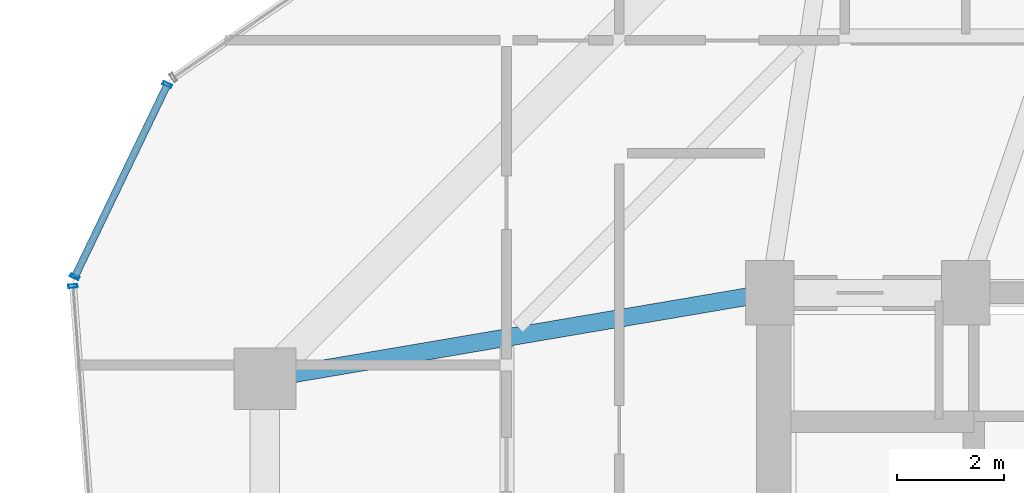
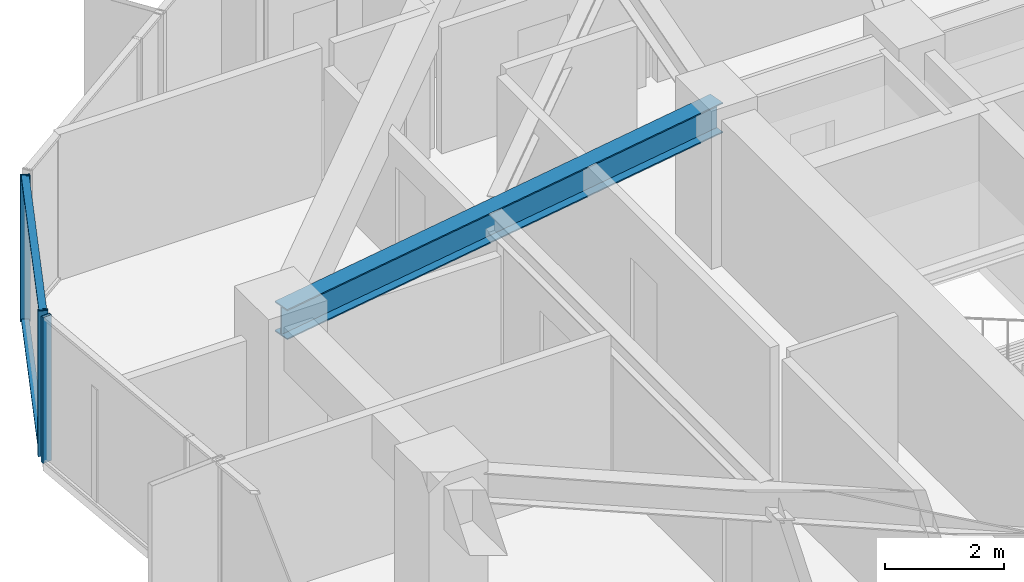
# One storey, part 14 of 35: 5 members, 1 beam, 2 elements without a shape of their own.
"""IFC4 building model written with IfcOpenShell, lengths in metres."""

from ifc_helpers import new_model, si_unit, direction, frame, origin, origin_2d, place, context, subcontext, project, spatial, hollow_rectangle, i_section, extrude, source, transform, mapped, material, layer, layer_set, material_profile, profile_set, type_object, element, aggregate, save


model = new_model("IFC4")

# Units and contexts
model_context = context("Model", 3, precision=1e-05, world=origin(), true_north=direction((0.0, 1.0)))
body_context = subcontext(model_context, "Body", "Model", "MODEL_VIEW")
ifc_project = project(units=[si_unit("LENGTHUNIT", "METRE"), si_unit("AREAUNIT", "SQUARE_METRE"), si_unit("VOLUMEUNIT", "CUBIC_METRE"), si_unit("PLANEANGLEUNIT", "RADIAN"), si_unit("MASSUNIT", "GRAM", prefix="KILO")], contexts=[model_context])

# Site, building, storey
site_placement = place(None, origin())
site = spatial("IfcSite", under=ifc_project, at=site_placement, CompositionType="ELEMENT")
building_placement = place(site_placement, origin())
building = spatial("IfcBuilding", under=site, at=building_placement, Name="Veraguas Prism Commons", CompositionType="ELEMENT")
storey_placement = place(building_placement, frame((0.0, 0.0, 142.5)))
storey = spatial("IfcBuildingStorey", under=building, at=storey_placement, Name="L40", CompositionType="ELEMENT", Elevation=142.5)

# Beam
ifc_material_1 = material(Name="Steel ASTM A992 Grade 50", Category="steel")
ifc_material_profile_1 = material_profile(ifc_material_1, i_section(OverallWidth=0.327880859375, OverallDepth=0.6220703125, WebThickness=0.015380859375, FlangeThickness=0.0244140625, at=origin_2d()), Name="W610X195")
ifc_profile_set_1 = profile_set([ifc_material_profile_1], Name="Steel ASTM A992 Grade 50")
beam_type = type_object("IfcBeamType", Name="Zone 2 Radial Girder W610x195", PredefinedType="BEAM", material=ifc_profile_set_1)
beam_placement = place(storey_placement, frame((7.800048828125, 29.39990234375, 2.68896484375), z_axis=(0.985819187151, 0.1678109956, 0.0), x_axis=(-0.1678109956, 0.985819187151, 0.0)))
element("IfcBeam", 1, at=beam_placement, inside=storey, type_object=beam_type, Name="Radial Floor Girder L40-RD07", PredefinedType="BEAM", context=body_context, shape_type="SweptSolid", body=[
    extrude(i_section(OverallWidth=0.327880859375, OverallDepth=0.6220703125, WebThickness=0.015380859375, FlangeThickness=0.0244140625, at=origin_2d()), origin(), (0.0, 0.0, 1.0), 9.53515625),
])

# Curtain wall, member
ifc_material_2 = material(Name="Anodised aluminium EN AW-6063 T6", Category="aluminium")
ifc_layer = layer(ifc_material_2, 0.169921875, Name="Unitised Flush Curtain Wall Zone 2", Category="aluminium")
ifc_layer_set = layer_set([ifc_layer], Name="Anodised aluminium EN AW-6063 T6")
curtain_wall_type = type_object("IfcCurtainWallType", Name="Unitised Flush Curtain Wall Zone 2", PredefinedType="NOTDEFINED", material=ifc_layer_set)
curtain_wall_1_placement = place(storey_placement, origin())
curtain_wall_1 = element("IfcCurtainWall", 2, at=curtain_wall_1_placement, inside=storey, type_object=curtain_wall_type, Name="Tower Facade Curtain Wall L40-F3", PredefinedType="NOTDEFINED")
ifc_material_profile_2 = material_profile(ifc_material_2, hollow_rectangle(XDim=0.06005859375, YDim=0.169921875, WallThickness=0.00390625, at=origin_2d()), Name="AL60X170X4")
ifc_profile_set_2 = profile_set([ifc_material_profile_2], Name="Anodised aluminium EN AW-6063 T6")
member_type_1 = type_object("IfcMemberType", Name="Curtain Wall Mullion Lower AL 60x170x4", PredefinedType="MULLION", material=ifc_profile_set_2)
shared_shape_1 = source(origin(), body_context, "Body", "SweptSolid", [
    extrude(hollow_rectangle(XDim=0.06005859375, YDim=0.169921875, WallThickness=0.00390625, at=origin_2d()), origin(), (0.0, 0.0, 1.0), 3.0),
])
member_1_placement = place(storey_placement, frame((4.2275390625, 31.124755859375, 0.0), z_axis=(0.0, 0.0, 1.0), x_axis=(0.074978726826, -0.997185133525, 0.0)))
member_1 = element("IfcMember", 3, at=member_1_placement, type_object=member_type_1, Name="CW-Z2 Mullion 1", PredefinedType="MULLION", context=body_context, shape_type="MappedRepresentation", body=[
    mapped(shared_shape_1, transform((0.0, 0.0, 0.0), scale=1.0)),
])
aggregate(curtain_wall_1, [member_1])

# Curtain wall, members
curtain_wall_2_placement = place(storey_placement, origin())
curtain_wall_2 = element("IfcCurtainWall", 4, at=curtain_wall_2_placement, inside=storey, type_object=curtain_wall_type, Name="Chamfer Curtain Wall L40-C3", PredefinedType="NOTDEFINED")
member_2_placement = place(storey_placement, frame((5.98291015625, 34.875732421875, 0.0), z_axis=(0.0, 0.0, 1.0), x_axis=(-0.433684247236, -0.901064910925, 0.0)))
member_2 = element("IfcMember", 5, at=member_2_placement, type_object=member_type_1, Name="CW-Z2 Mullion 1", PredefinedType="MULLION", context=body_context, shape_type="MappedRepresentation", body=[
    mapped(shared_shape_1, transform((0.0, 0.0, 0.0), scale=1.0)),
])
member_3_placement = place(storey_placement, frame((4.260009765625, 31.295654296875, 0.0), z_axis=(0.0, 0.0, 1.0), x_axis=(-0.433684247236, -0.901064910925, 0.0)))
member_3 = element("IfcMember", 6, at=member_3_placement, type_object=member_type_1, Name="CW-Z2 Mullion 2", PredefinedType="MULLION", context=body_context, shape_type="MappedRepresentation", body=[
    mapped(shared_shape_1, transform((0.0, 0.0, 0.0), scale=1.0)),
])
ifc_material_profile_3 = material_profile(ifc_material_2, hollow_rectangle(XDim=0.054931640625, YDim=0.135009765625, WallThickness=0.0029296875, at=origin_2d()), Name="AL55X135X3")
ifc_profile_set_3 = profile_set([ifc_material_profile_3], Name="Anodised aluminium EN AW-6063 T6")
member_type_2 = type_object("IfcMemberType", Name="Curtain Wall Transom Standard AL 55x135x3", PredefinedType="USERDEFINED", material=ifc_profile_set_3)
shared_shape_2 = source(origin(), body_context, "Body", "SweptSolid", [
    extrude(hollow_rectangle(XDim=0.054931640625, YDim=0.135009765625, WallThickness=0.0029296875, at=origin_2d()), origin(), (0.0, 0.0, 1.0), 3.97314453125),
])
member_4_placement = place(storey_placement, frame((5.98291015625, 34.875732421875, 0.027587890625), z_axis=(-0.433643787058, -0.901084383366, 0.0), x_axis=(0.0, 0.0, 1.0)))
member_4 = element("IfcMember", 7, at=member_4_placement, type_object=member_type_2, Name="CW-Z2 Transom 1", ObjectType="TRANSOM", PredefinedType="USERDEFINED", context=body_context, shape_type="MappedRepresentation", body=[
    mapped(shared_shape_2, transform((0.0, 0.0, 0.0), scale=1.0)),
])
member_5_placement = place(storey_placement, frame((5.98291015625, 34.875732421875, 2.972412109375), z_axis=(-0.433643787058, -0.901084383366, 0.0), x_axis=(0.0, 0.0, 1.0)))
member_5 = element("IfcMember", 8, at=member_5_placement, type_object=member_type_2, Name="CW-Z2 Transom 2", ObjectType="TRANSOM", PredefinedType="USERDEFINED", context=body_context, shape_type="MappedRepresentation", body=[
    mapped(shared_shape_2, transform((0.0, 0.0, 0.0), scale=1.0)),
])
aggregate(curtain_wall_2, [member_2, member_3, member_4, member_5])

save(model, "model.ifc")
